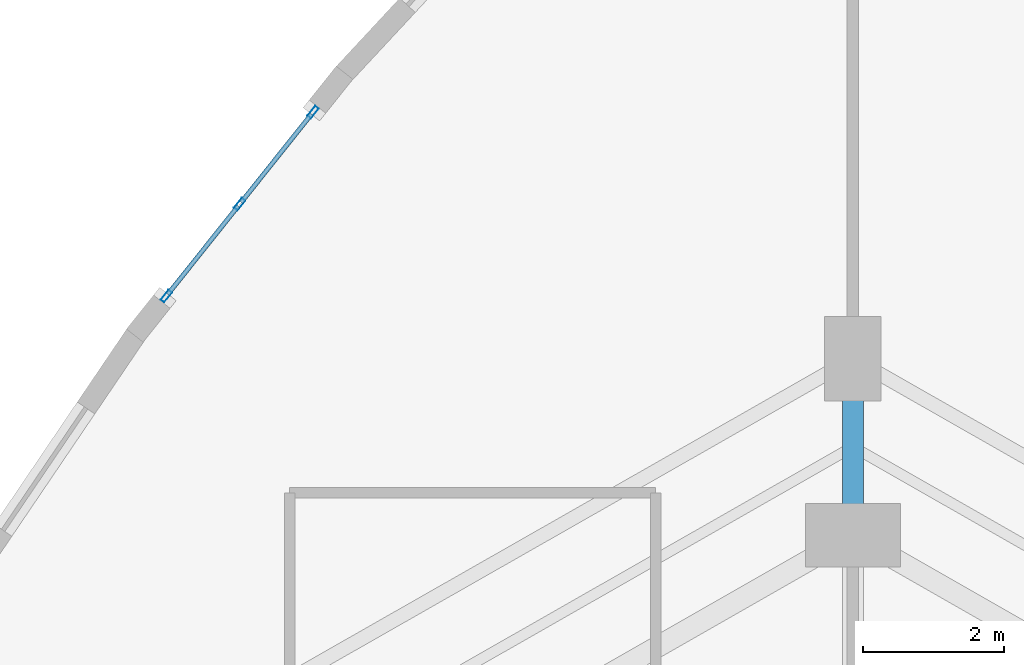
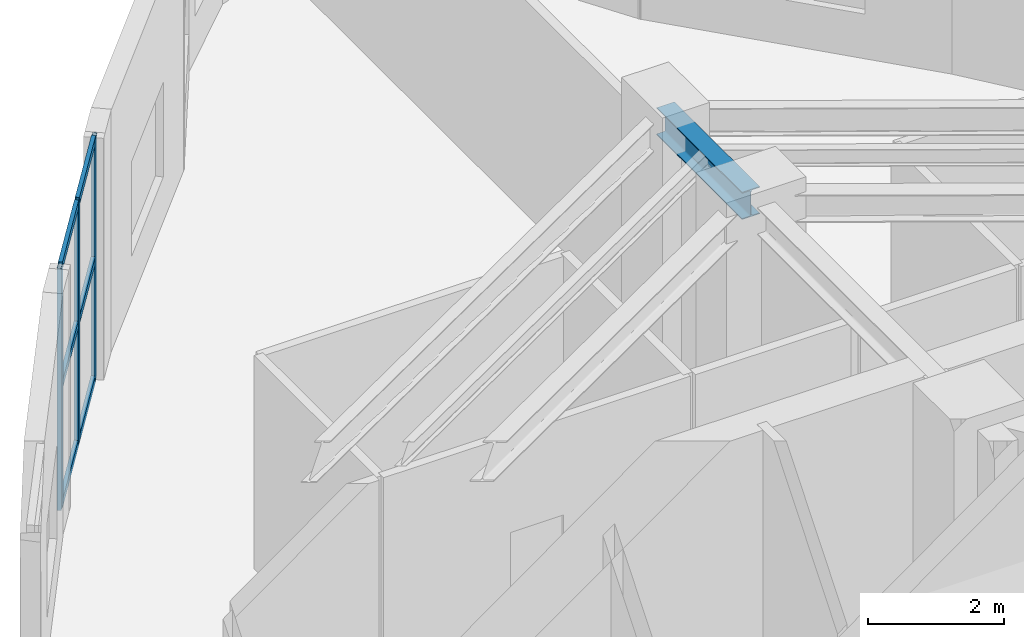
# One storey, part 11 of 17: 9 members, 1 beam, 1 element without a shape of its own.
"""IFC4 building model written with IfcOpenShell, lengths in metres."""

from ifc_helpers import new_model, si_unit, direction, frame, origin, origin_2d, place, context, subcontext, project, spatial, hollow_rectangle, i_section, extrude, material, layer, layer_set, material_profile, profile_set, type_object, element, aggregate, save


model = new_model("IFC4")

# Units and contexts
model_context = context("Model", 3, precision=1e-05, world=origin(), true_north=direction((0.0, 1.0)))
body_context = subcontext(model_context, "Body", "Model", "MODEL_VIEW")
ifc_project = project(units=[si_unit("LENGTHUNIT", "METRE"), si_unit("AREAUNIT", "SQUARE_METRE"), si_unit("VOLUMEUNIT", "CUBIC_METRE"), si_unit("PLANEANGLEUNIT", "RADIAN"), si_unit("MASSUNIT", "GRAM", prefix="KILO")], contexts=[model_context])

# Site, building, storey
site_placement = place(None, origin())
site = spatial("IfcSite", under=ifc_project, at=site_placement, CompositionType="ELEMENT")
building_placement = place(site_placement, origin())
building = spatial("IfcBuilding", under=site, at=building_placement, Name="Miruveldt Soraemaru", CompositionType="ELEMENT")
storey_placement = place(building_placement, frame((0.0, 0.0, 95.800048828125)))
storey = spatial("IfcBuildingStorey", under=building, at=storey_placement, Name="L26", CompositionType="ELEMENT", Elevation=95.800048828125)

# Beam
ifc_material_1 = material(Name="Steel SM355 (355 MPa)", Category="steel")
ifc_material_profile_1 = material_profile(ifc_material_1, i_section(OverallWidth=0.300048828125, OverallDepth=0.488037109375, WebThickness=0.010986328125, FlangeThickness=0.01806640625, FilletRadius=0.02587890625, at=origin_2d()), Name="Steel SM355 (355 MPa)", Category="steel")
ifc_profile_set_1 = profile_set([ifc_material_profile_1], Name="Steel SM355 (355 MPa)")
beam_type = type_object("IfcBeamType", Name="BM-ST-H488", PredefinedType="BEAM", material=ifc_profile_set_1)
beam_placement = place(storey_placement, frame((44.0, 57.60009765625, 4.091064453125), z_axis=(0.0, 1.0, 0.0), x_axis=(-1.0, 0.0, 0.0)))
element("IfcBeam", 1, at=beam_placement, inside=storey, type_object=beam_type, Name="L26 Zone-2 Radial Girder 1", PredefinedType="BEAM", context=body_context, shape_type="SweptSolid", body=[
    extrude(i_section(OverallWidth=0.300048828125, OverallDepth=0.488037109375, WebThickness=0.010986328125, FlangeThickness=0.01806640625, FilletRadius=0.02587890625, at=origin_2d()), origin(), (0.0, 0.0, 1.0), 2.505859375),
])

# Curtain wall, members
ifc_material_2 = material(Name="Anodised aluminium EN AW-6063 T6", Category="aluminium")
ifc_layer = layer(ifc_material_2, 0.179931640625, Name="Anodised aluminium EN AW-6063 T6", Category="aluminium")
ifc_layer_set = layer_set([ifc_layer], Name="Anodised aluminium EN AW-6063 T6")
curtain_wall_type = type_object("IfcCurtainWallType", Name="CW-SYS-4", PredefinedType="USERDEFINED", material=ifc_layer_set)
curtain_wall_placement = place(storey_placement, origin())
curtain_wall = element("IfcCurtainWall", 2, at=curtain_wall_placement, inside=storey, type_object=curtain_wall_type, Name="L26 Curtain Wall Bay 8", ObjectType="UNITISED GLAZING", PredefinedType="USERDEFINED")
ifc_material_profile_2 = material_profile(ifc_material_2, hollow_rectangle(XDim=0.06494140625, YDim=0.179931640625, WallThickness=0.00390625, at=origin_2d()), Name="Anodised aluminium EN AW-6063 T6", Category="aluminium")
ifc_profile_set_2 = profile_set([ifc_material_profile_2], Name="Anodised aluminium EN AW-6063 T6")
member_type_1 = type_object("IfcMemberType", Name="CWM-4", PredefinedType="MULLION", material=ifc_profile_set_2)
member_1_placement = place(storey_placement, frame((36.331298828125, 63.606689453125, 0.0), z_axis=(0.0, 0.0, 1.0), x_axis=(0.781738824865, -0.62360597311, 0.0)))
member_1 = element("IfcMember", 3, at=member_1_placement, type_object=member_type_1, Name="CW-4 mullion 1", PredefinedType="MULLION", context=body_context, shape_type="SweptSolid", body=[
    extrude(hollow_rectangle(XDim=0.06494140625, YDim=0.179931640625, WallThickness=0.00390625, at=origin_2d()), origin(), (0.0, 0.0, 1.0), 4.3349609375),
])
member_2_placement = place(storey_placement, frame((35.28955078125, 62.30078125, 0.0), z_axis=(0.0, 0.0, 1.0), x_axis=(0.781738824865, -0.62360597311, 0.0)))
member_2 = element("IfcMember", 4, at=member_2_placement, type_object=member_type_1, Name="CW-4 mullion 2", PredefinedType="MULLION", context=body_context, shape_type="SweptSolid", body=[
    extrude(hollow_rectangle(XDim=0.06494140625, YDim=0.179931640625, WallThickness=0.00390625, at=origin_2d()), origin(), (0.0, 0.0, 1.0), 4.3349609375),
])
member_3_placement = place(storey_placement, frame((34.247802734375, 60.994873046875, 0.0), z_axis=(0.0, 0.0, 1.0), x_axis=(0.781738824865, -0.62360597311, 0.0)))
member_3 = element("IfcMember", 5, at=member_3_placement, type_object=member_type_1, Name="CW-4 mullion 3", PredefinedType="MULLION", context=body_context, shape_type="SweptSolid", body=[
    extrude(hollow_rectangle(XDim=0.06494140625, YDim=0.179931640625, WallThickness=0.00390625, at=origin_2d()), origin(), (0.0, 0.0, 1.0), 4.3349609375),
])
ifc_material_profile_3 = material_profile(ifc_material_2, hollow_rectangle(XDim=0.06494140625, YDim=0.139892578125, WallThickness=0.00390625, at=origin_2d()), Name="Anodised aluminium EN AW-6063 T6", Category="aluminium")
ifc_profile_set_3 = profile_set([ifc_material_profile_3], Name="Anodised aluminium EN AW-6063 T6")
member_type_2 = type_object("IfcMemberType", Name="CWT-4", PredefinedType="USERDEFINED", material=ifc_profile_set_3)
member_4_placement = place(storey_placement, frame((36.31103515625, 63.581298828125, 0.032470703125), z_axis=(-0.623600340125, -0.781743318357, 0.0), x_axis=(0.781743318357, -0.623600340125, 0.0)))
member_4 = element("IfcMember", 6, at=member_4_placement, type_object=member_type_2, Name="CW-4 transom 1.1", ObjectType="TRANSOM", PredefinedType="USERDEFINED", context=body_context, shape_type="SweptSolid", body=[
    extrude(hollow_rectangle(XDim=0.06494140625, YDim=0.139892578125, WallThickness=0.00390625, at=origin_2d()), origin(), (0.0, 0.0, 1.0), 1.60546875),
])
member_5_placement = place(storey_placement, frame((36.31103515625, 63.581298828125, 2.16748046875), z_axis=(-0.623600340125, -0.781743318357, 0.0), x_axis=(0.781743318357, -0.623600340125, 0.0)))
member_5 = element("IfcMember", 7, at=member_5_placement, type_object=member_type_2, Name="CW-4 transom 1.2", ObjectType="TRANSOM", PredefinedType="USERDEFINED", context=body_context, shape_type="SweptSolid", body=[
    extrude(hollow_rectangle(XDim=0.06494140625, YDim=0.139892578125, WallThickness=0.00390625, at=origin_2d()), origin(), (0.0, 0.0, 1.0), 1.60546875),
])
member_6_placement = place(storey_placement, frame((36.31103515625, 63.581298828125, 4.302490234375), z_axis=(-0.623600340125, -0.781743318357, 0.0), x_axis=(0.781743318357, -0.623600340125, 0.0)))
member_6 = element("IfcMember", 8, at=member_6_placement, type_object=member_type_2, Name="CW-4 transom 1.3", ObjectType="TRANSOM", PredefinedType="USERDEFINED", context=body_context, shape_type="SweptSolid", body=[
    extrude(hollow_rectangle(XDim=0.06494140625, YDim=0.139892578125, WallThickness=0.00390625, at=origin_2d()), origin(), (0.0, 0.0, 1.0), 1.60546875),
])
member_7_placement = place(storey_placement, frame((35.269287109375, 62.275390625, 0.032470703125), z_axis=(-0.623600340125, -0.781743318357, 0.0), x_axis=(0.781743318357, -0.623600340125, 0.0)))
member_7 = element("IfcMember", 9, at=member_7_placement, type_object=member_type_2, Name="CW-4 transom 2.1", ObjectType="TRANSOM", PredefinedType="USERDEFINED", context=body_context, shape_type="SweptSolid", body=[
    extrude(hollow_rectangle(XDim=0.06494140625, YDim=0.139892578125, WallThickness=0.00390625, at=origin_2d()), origin(), (0.0, 0.0, 1.0), 1.60546875),
])
member_8_placement = place(storey_placement, frame((35.269287109375, 62.275390625, 2.16748046875), z_axis=(-0.623600340125, -0.781743318357, 0.0), x_axis=(0.781743318357, -0.623600340125, 0.0)))
member_8 = element("IfcMember", 10, at=member_8_placement, type_object=member_type_2, Name="CW-4 transom 2.2", ObjectType="TRANSOM", PredefinedType="USERDEFINED", context=body_context, shape_type="SweptSolid", body=[
    extrude(hollow_rectangle(XDim=0.06494140625, YDim=0.139892578125, WallThickness=0.00390625, at=origin_2d()), origin(), (0.0, 0.0, 1.0), 1.60546875),
])
member_9_placement = place(storey_placement, frame((35.269287109375, 62.275390625, 4.302490234375), z_axis=(-0.623600340125, -0.781743318357, 0.0), x_axis=(0.781743318357, -0.623600340125, 0.0)))
member_9 = element("IfcMember", 11, at=member_9_placement, type_object=member_type_2, Name="CW-4 transom 2.3", ObjectType="TRANSOM", PredefinedType="USERDEFINED", context=body_context, shape_type="SweptSolid", body=[
    extrude(hollow_rectangle(XDim=0.06494140625, YDim=0.139892578125, WallThickness=0.00390625, at=origin_2d()), origin(), (0.0, 0.0, 1.0), 1.60546875),
])
aggregate(curtain_wall, [member_1, member_2, member_3, member_4, member_5, member_6, member_7, member_8, member_9])

save(model, "model.ifc")
